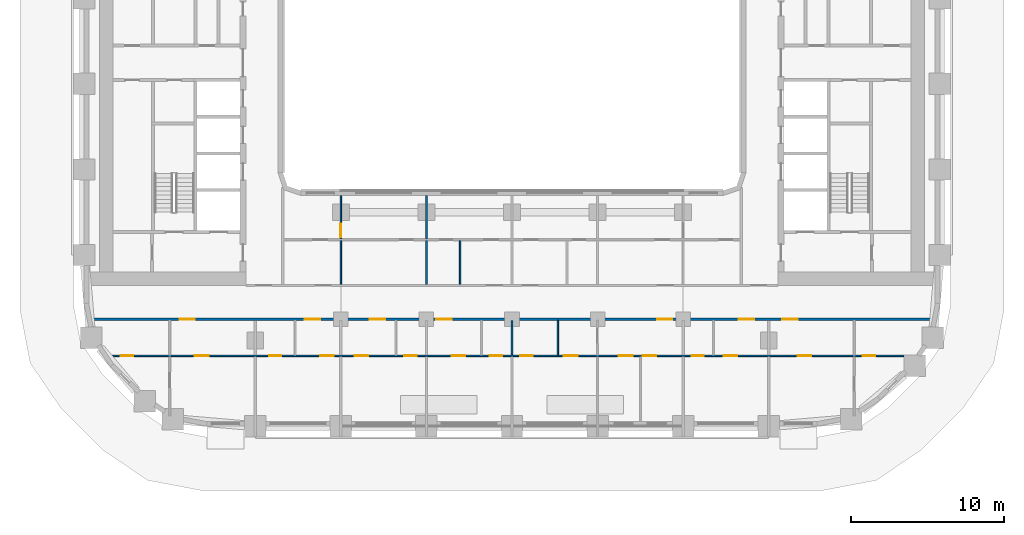
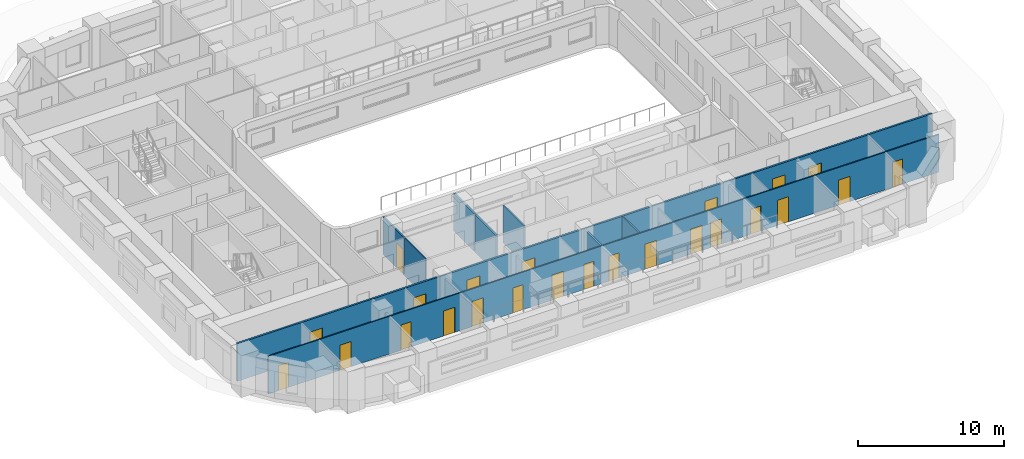
# One storey, part 3 of 18: 24 doors, 9 walls, 24 openings.
"""IFC4 building model written with IfcOpenShell, lengths in metres."""

from ifc_helpers import new_model, si_unit, direction, frame, frame_2d, origin, place, context, subcontext, project, spatial, rectangle, extrude, material, layer, layer_set, type_object, element, fill, save


model = new_model("IFC4")

# Units and contexts
model_context = context("Model", 3, precision=1e-05, world=origin(), true_north=direction((0.0, 1.0)))
body_context = subcontext(model_context, "Body", "Model", "MODEL_VIEW")
ifc_project = project(units=[si_unit("LENGTHUNIT", "METRE"), si_unit("AREAUNIT", "SQUARE_METRE"), si_unit("VOLUMEUNIT", "CUBIC_METRE"), si_unit("PLANEANGLEUNIT", "RADIAN"), si_unit("MASSUNIT", "GRAM", prefix="KILO")], contexts=[model_context])

# Site, building, storey
site_placement = place(None, origin())
site = spatial("IfcSite", under=ifc_project, at=site_placement, CompositionType="ELEMENT")
building_placement = place(site_placement, origin())
building = spatial("IfcBuilding", under=site, at=building_placement, Name="Kiln Ring Residences", CompositionType="ELEMENT")
storey_placement = place(building_placement, frame((0.0, 0.0, 69.0)))
storey = spatial("IfcBuildingStorey", under=building, at=storey_placement, Name="L17", CompositionType="ELEMENT", Elevation=69.0)

# Wall, openings, doors
ifc_material_1 = material(Name="Gypsum board on steel studs", Category="steel")
ifc_layer_1 = layer(ifc_material_1, 0.10009765625)
ifc_layer_set_1 = layer_set([ifc_layer_1], Name="PARTITION-100")
wall_type_1 = type_object("IfcWallType", Name="PARTITION-100", PredefinedType="PARTITIONING", material=ifc_layer_set_1)
wall_1_placement = place(storey_placement, frame((-26.39404296875, -17.800048828125, 0.0), z_axis=(0.0, 0.0, 1.0), x_axis=(1.0, 0.0, 0.0)))
wall_1 = element("IfcWall", 1, at=wall_1_placement, inside=storey, type_object=wall_type_1, Name="Partition 000", PredefinedType="PARTITIONING", context=body_context, shape_type="SweptSolid", body=[
    extrude(rectangle(XDim=53.033935546875, YDim=0.10009765625, at=frame_2d((26.51708984375, 0.0))), origin(), (0.0, 0.0, 1.0), 3.14990234375),
])
opening_1_placement = place(wall_1_placement, frame((0.7939453125, 0.0, 0.0)))
opening_1 = element("IfcOpeningElement", 2, at=opening_1_placement, cuts=wall_1, Name="Opening L17-D058", PredefinedType="OPENING", context=body_context, shape_type="SweptSolid", body=[
    extrude(rectangle(XDim=0.800048828125, YDim=2.10009765625, at=frame_2d((0.39990234375, 1.050048828125))), frame((0.0, 0.06005859375, 0.0), z_axis=(0.0, -1.0, 0.0), x_axis=(1.0, 0.0, 0.0)), (0.0, 0.0, 1.0), 0.1201171875),
])
opening_2_placement = place(wall_1_placement, frame((5.64404296875, 0.0, 0.0)))
opening_2 = element("IfcOpeningElement", 3, at=opening_2_placement, cuts=wall_1, Name="Opening L17-D059", PredefinedType="OPENING", context=body_context, shape_type="SweptSolid", body=[
    extrude(rectangle(XDim=0.89990234375, YDim=2.10009765625, at=frame_2d((0.449951171875, 1.050048828125))), frame((0.0, 0.06005859375, 0.0), z_axis=(0.0, -1.0, 0.0), x_axis=(1.0, 0.0, 0.0)), (0.0, 0.0, 1.0), 0.1201171875),
])
opening_3_placement = place(wall_1_placement, frame((10.493896484375, 0.0, 0.0)))
opening_3 = element("IfcOpeningElement", 4, at=opening_3_placement, cuts=wall_1, Name="Opening L17-D062", PredefinedType="OPENING", context=body_context, shape_type="SweptSolid", body=[
    extrude(rectangle(XDim=0.800048828125, YDim=2.10009765625, at=frame_2d((0.39990234375, 1.050048828125))), frame((0.0, 0.06005859375, 0.0), z_axis=(0.0, -1.0, 0.0), x_axis=(1.0, 0.0, 0.0)), (0.0, 0.0, 1.0), 0.1201171875),
])
opening_4_placement = place(wall_1_placement, frame((13.843994140625, 0.0, 0.0)))
opening_4 = element("IfcOpeningElement", 5, at=opening_4_placement, cuts=wall_1, Name="Opening L17-D063", PredefinedType="OPENING", context=body_context, shape_type="SweptSolid", body=[
    extrude(rectangle(XDim=0.89990234375, YDim=2.10009765625, at=frame_2d((0.449951171875, 1.050048828125))), frame((0.0, 0.06005859375, 0.0), z_axis=(0.0, -1.0, 0.0), x_axis=(1.0, 0.0, 0.0)), (0.0, 0.0, 1.0), 0.1201171875),
])
opening_5_placement = place(wall_1_placement, frame((19.343994140625, 0.0, 0.0)))
opening_5 = element("IfcOpeningElement", 6, at=opening_5_placement, cuts=wall_1, Name="Opening L17-D065", PredefinedType="OPENING", context=body_context, shape_type="SweptSolid", body=[
    extrude(rectangle(XDim=0.800048828125, YDim=2.10009765625, at=frame_2d((0.39990234375, 1.050048828125))), frame((0.0, 0.06005859375, 0.0), z_axis=(0.0, -1.0, 0.0), x_axis=(1.0, 0.0, 0.0)), (0.0, 0.0, 1.0), 0.1201171875),
])
opening_6_placement = place(wall_1_placement, frame((16.093994140625, 0.0, 0.0)))
opening_6 = element("IfcOpeningElement", 7, at=opening_6_placement, cuts=wall_1, Name="Opening L17-D066", PredefinedType="OPENING", context=body_context, shape_type="SweptSolid", body=[
    extrude(rectangle(XDim=0.89990234375, YDim=2.10009765625, at=frame_2d((0.449951171875, 1.050048828125))), frame((0.0, 0.06005859375, 0.0), z_axis=(0.0, -1.0, 0.0), x_axis=(1.0, 0.0, 0.0)), (0.0, 0.0, 1.0), 0.1201171875),
])
opening_7_placement = place(wall_1_placement, frame((24.944091796875, 0.0, 0.0)))
opening_7 = element("IfcOpeningElement", 8, at=opening_7_placement, cuts=wall_1, Name="Opening L17-D068", PredefinedType="OPENING", context=body_context, shape_type="SweptSolid", body=[
    extrude(rectangle(XDim=0.800048828125, YDim=2.10009765625, at=frame_2d((0.39990234375, 1.050048828125))), frame((0.0, 0.06005859375, 0.0), z_axis=(0.0, -1.0, 0.0), x_axis=(1.0, 0.0, 0.0)), (0.0, 0.0, 1.0), 0.1201171875),
])
opening_8_placement = place(wall_1_placement, frame((22.444091796875, 0.0, 0.0)))
opening_8 = element("IfcOpeningElement", 9, at=opening_8_placement, cuts=wall_1, Name="Opening L17-D069", PredefinedType="OPENING", context=body_context, shape_type="SweptSolid", body=[
    extrude(rectangle(XDim=0.89990234375, YDim=2.10009765625, at=frame_2d((0.449951171875, 1.050048828125))), frame((0.0, 0.06005859375, 0.0), z_axis=(0.0, -1.0, 0.0), x_axis=(1.0, 0.0, 0.0)), (0.0, 0.0, 1.0), 0.1201171875),
])
opening_9_placement = place(wall_1_placement, frame((26.944091796875, 0.0, 0.0)))
opening_9 = element("IfcOpeningElement", 10, at=opening_9_placement, cuts=wall_1, Name="Opening L17-D072", PredefinedType="OPENING", context=body_context, shape_type="SweptSolid", body=[
    extrude(rectangle(XDim=0.800048828125, YDim=2.10009765625, at=frame_2d((0.39990234375, 1.050048828125))), frame((0.0, 0.06005859375, 0.0), z_axis=(0.0, -1.0, 0.0), x_axis=(1.0, 0.0, 0.0)), (0.0, 0.0, 1.0), 0.1201171875),
])
opening_10_placement = place(wall_1_placement, frame((29.7939453125, 0.0, 0.0)))
opening_10 = element("IfcOpeningElement", 11, at=opening_10_placement, cuts=wall_1, Name="Opening L17-D073", PredefinedType="OPENING", context=body_context, shape_type="SweptSolid", body=[
    extrude(rectangle(XDim=0.89990234375, YDim=2.10009765625, at=frame_2d((0.449951171875, 1.050048828125))), frame((0.0, 0.06005859375, 0.0), z_axis=(0.0, -1.0, 0.0), x_axis=(1.0, 0.0, 0.0)), (0.0, 0.0, 1.0), 0.1201171875),
])
opening_11_placement = place(wall_1_placement, frame((33.39404296875, 0.0, 0.0)))
opening_11 = element("IfcOpeningElement", 12, at=opening_11_placement, cuts=wall_1, Name="Opening L17-D074", PredefinedType="OPENING", context=body_context, shape_type="SweptSolid", body=[
    extrude(rectangle(XDim=0.89990234375, YDim=2.10009765625, at=frame_2d((0.449951171875, 1.050048828125))), frame((0.0, 0.06005859375, 0.0), z_axis=(0.0, -1.0, 0.0), x_axis=(1.0, 0.0, 0.0)), (0.0, 0.0, 1.0), 0.1201171875),
])
opening_12_placement = place(wall_1_placement, frame((34.944091796875, 0.0, 0.0)))
opening_12 = element("IfcOpeningElement", 13, at=opening_12_placement, cuts=wall_1, Name="Opening L17-D075", PredefinedType="OPENING", context=body_context, shape_type="SweptSolid", body=[
    extrude(rectangle(XDim=0.89990234375, YDim=2.10009765625, at=frame_2d((0.449951171875, 1.050048828125))), frame((0.0, 0.06005859375, 0.0), z_axis=(0.0, -1.0, 0.0), x_axis=(1.0, 0.0, 0.0)), (0.0, 0.0, 1.0), 0.1201171875),
])
opening_13_placement = place(wall_1_placement, frame((38.14404296875, 0.0, 0.0)))
opening_13 = element("IfcOpeningElement", 14, at=opening_13_placement, cuts=wall_1, Name="Opening L17-D077", PredefinedType="OPENING", context=body_context, shape_type="SweptSolid", body=[
    extrude(rectangle(XDim=0.800048828125, YDim=2.10009765625, at=frame_2d((0.39990234375, 1.050048828125))), frame((0.0, 0.06005859375, 0.0), z_axis=(0.0, -1.0, 0.0), x_axis=(1.0, 0.0, 0.0)), (0.0, 0.0, 1.0), 0.1201171875),
])
opening_14_placement = place(wall_1_placement, frame((40.243896484375, 0.0, 0.0)))
opening_14 = element("IfcOpeningElement", 15, at=opening_14_placement, cuts=wall_1, Name="Opening L17-D078", PredefinedType="OPENING", context=body_context, shape_type="SweptSolid", body=[
    extrude(rectangle(XDim=0.89990234375, YDim=2.10009765625, at=frame_2d((0.449951171875, 1.050048828125))), frame((0.0, 0.06005859375, 0.0), z_axis=(0.0, -1.0, 0.0), x_axis=(1.0, 0.0, 0.0)), (0.0, 0.0, 1.0), 0.1201171875),
])
opening_15_placement = place(wall_1_placement, frame((49.362060546875, 0.0, 0.0)))
opening_15 = element("IfcOpeningElement", 16, at=opening_15_placement, cuts=wall_1, Name="Opening L17-D080", PredefinedType="OPENING", context=body_context, shape_type="SweptSolid", body=[
    extrude(rectangle(XDim=0.800048828125, YDim=2.10009765625, at=frame_2d((0.39990234375, 1.050048828125))), frame((0.0, 0.06005859375, 0.0), z_axis=(0.0, -1.0, 0.0), x_axis=(1.0, 0.0, 0.0)), (0.0, 0.0, 1.0), 0.1201171875),
])
opening_16_placement = place(wall_1_placement, frame((45.093994140625, 0.0, 0.0)))
opening_16 = element("IfcOpeningElement", 17, at=opening_16_placement, cuts=wall_1, Name="Opening L17-D081", PredefinedType="OPENING", context=body_context, shape_type="SweptSolid", body=[
    extrude(rectangle(XDim=0.89990234375, YDim=2.10009765625, at=frame_2d((0.449951171875, 1.050048828125))), frame((0.0, 0.06005859375, 0.0), z_axis=(0.0, -1.0, 0.0), x_axis=(1.0, 0.0, 0.0)), (0.0, 0.0, 1.0), 0.1201171875),
])
ifc_material_2 = material(Name="Timber door leaf", Category="wood")
door_type_1 = type_object("IfcDoorType", Name="FLAT-DOOR-800-PL", OperationType="SINGLE_SWING_LEFT", PredefinedType="DOOR", material=ifc_material_2)
door_1_placement = place(opening_1_placement, origin())
door_1 = element("IfcDoor", 18, at=door_1_placement, inside=storey, type_object=door_type_1, Name="Door L17-D058", OperationType="SINGLE_SWING_RIGHT", OverallHeight=2.10009765625, OverallWidth=0.800048828125, PredefinedType="DOOR", context=body_context, shape_type="SweptSolid", body=[
    extrude(rectangle(XDim=0.800048828125, YDim=2.10009765625, at=frame_2d((0.39990234375, 1.050048828125))), frame((0.0, 0.02490234375, 0.0), z_axis=(0.0, -1.0, 0.0), x_axis=(1.0, 0.0, 0.0)), (0.0, 0.0, 1.0), 0.050048828125),
])
fill(opening_1, door_1)
door_2_placement = place(opening_3_placement, origin())
door_2 = element("IfcDoor", 19, at=door_2_placement, inside=storey, type_object=door_type_1, Name="Door L17-D062", OperationType="SINGLE_SWING_RIGHT", OverallHeight=2.10009765625, OverallWidth=0.800048828125, PredefinedType="DOOR", context=body_context, shape_type="SweptSolid", body=[
    extrude(rectangle(XDim=0.800048828125, YDim=2.10009765625, at=frame_2d((0.39990234375, 1.050048828125))), frame((0.0, 0.02490234375, 0.0), z_axis=(0.0, -1.0, 0.0), x_axis=(1.0, 0.0, 0.0)), (0.0, 0.0, 1.0), 0.050048828125),
])
fill(opening_3, door_2)
door_3_placement = place(opening_5_placement, origin())
door_3 = element("IfcDoor", 20, at=door_3_placement, inside=storey, type_object=door_type_1, Name="Door L17-D065", OperationType="SINGLE_SWING_LEFT", OverallHeight=2.10009765625, OverallWidth=0.800048828125, PredefinedType="DOOR", context=body_context, shape_type="SweptSolid", body=[
    extrude(rectangle(XDim=0.800048828125, YDim=2.10009765625, at=frame_2d((0.39990234375, 1.050048828125))), frame((0.0, 0.02490234375, 0.0), z_axis=(0.0, -1.0, 0.0), x_axis=(1.0, 0.0, 0.0)), (0.0, 0.0, 1.0), 0.050048828125),
])
fill(opening_5, door_3)
door_4_placement = place(opening_7_placement, origin())
door_4 = element("IfcDoor", 21, at=door_4_placement, inside=storey, type_object=door_type_1, Name="Door L17-D068", OperationType="SINGLE_SWING_RIGHT", OverallHeight=2.10009765625, OverallWidth=0.800048828125, PredefinedType="DOOR", context=body_context, shape_type="SweptSolid", body=[
    extrude(rectangle(XDim=0.800048828125, YDim=2.10009765625, at=frame_2d((0.39990234375, 1.050048828125))), frame((0.0, 0.02490234375, 0.0), z_axis=(0.0, -1.0, 0.0), x_axis=(1.0, 0.0, 0.0)), (0.0, 0.0, 1.0), 0.050048828125),
])
fill(opening_7, door_4)
door_5_placement = place(opening_9_placement, origin())
door_5 = element("IfcDoor", 22, at=door_5_placement, inside=storey, type_object=door_type_1, Name="Door L17-D072", OperationType="SINGLE_SWING_RIGHT", OverallHeight=2.10009765625, OverallWidth=0.800048828125, PredefinedType="DOOR", context=body_context, shape_type="SweptSolid", body=[
    extrude(rectangle(XDim=0.800048828125, YDim=2.10009765625, at=frame_2d((0.39990234375, 1.050048828125))), frame((0.0, 0.02490234375, 0.0), z_axis=(0.0, -1.0, 0.0), x_axis=(1.0, 0.0, 0.0)), (0.0, 0.0, 1.0), 0.050048828125),
])
fill(opening_9, door_5)
door_6_placement = place(opening_13_placement, origin())
door_6 = element("IfcDoor", 23, at=door_6_placement, inside=storey, type_object=door_type_1, Name="Door L17-D077", OperationType="SINGLE_SWING_LEFT", OverallHeight=2.10009765625, OverallWidth=0.800048828125, PredefinedType="DOOR", context=body_context, shape_type="SweptSolid", body=[
    extrude(rectangle(XDim=0.800048828125, YDim=2.10009765625, at=frame_2d((0.39990234375, 1.050048828125))), frame((0.0, 0.02490234375, 0.0), z_axis=(0.0, -1.0, 0.0), x_axis=(1.0, 0.0, 0.0)), (0.0, 0.0, 1.0), 0.050048828125),
])
fill(opening_13, door_6)
door_7_placement = place(opening_15_placement, origin())
door_7 = element("IfcDoor", 24, at=door_7_placement, inside=storey, type_object=door_type_1, Name="Door L17-D080", OperationType="SINGLE_SWING_RIGHT", OverallHeight=2.10009765625, OverallWidth=0.800048828125, PredefinedType="DOOR", context=body_context, shape_type="SweptSolid", body=[
    extrude(rectangle(XDim=0.800048828125, YDim=2.10009765625, at=frame_2d((0.39990234375, 1.050048828125))), frame((0.0, 0.02490234375, 0.0), z_axis=(0.0, -1.0, 0.0), x_axis=(1.0, 0.0, 0.0)), (0.0, 0.0, 1.0), 0.050048828125),
])
fill(opening_15, door_7)
ifc_material_3 = material(Name="Timber door leaf", Category="wood")
door_type_2 = type_object("IfcDoorType", Name="FLAT-DOOR-900-PL", OperationType="SINGLE_SWING_LEFT", PredefinedType="DOOR", material=ifc_material_3)
door_8_placement = place(opening_2_placement, origin())
door_8 = element("IfcDoor", 25, at=door_8_placement, inside=storey, type_object=door_type_2, Name="Door L17-D059", OperationType="SINGLE_SWING_LEFT", OverallHeight=2.10009765625, OverallWidth=0.89990234375, PredefinedType="DOOR", context=body_context, shape_type="SweptSolid", body=[
    extrude(rectangle(XDim=0.89990234375, YDim=2.10009765625, at=frame_2d((0.449951171875, 1.050048828125))), frame((0.0, 0.02490234375, 0.0), z_axis=(0.0, -1.0, 0.0), x_axis=(1.0, 0.0, 0.0)), (0.0, 0.0, 1.0), 0.050048828125),
])
fill(opening_2, door_8)
door_9_placement = place(opening_4_placement, origin())
door_9 = element("IfcDoor", 26, at=door_9_placement, inside=storey, type_object=door_type_2, Name="Door L17-D063", OperationType="SINGLE_SWING_RIGHT", OverallHeight=2.10009765625, OverallWidth=0.89990234375, PredefinedType="DOOR", context=body_context, shape_type="SweptSolid", body=[
    extrude(rectangle(XDim=0.89990234375, YDim=2.10009765625, at=frame_2d((0.449951171875, 1.050048828125))), frame((0.0, 0.02490234375, 0.0), z_axis=(0.0, -1.0, 0.0), x_axis=(1.0, 0.0, 0.0)), (0.0, 0.0, 1.0), 0.050048828125),
])
fill(opening_4, door_9)
door_10_placement = place(opening_6_placement, origin())
door_10 = element("IfcDoor", 27, at=door_10_placement, inside=storey, type_object=door_type_2, Name="Door L17-D066", OperationType="SINGLE_SWING_LEFT", OverallHeight=2.10009765625, OverallWidth=0.89990234375, PredefinedType="DOOR", context=body_context, shape_type="SweptSolid", body=[
    extrude(rectangle(XDim=0.89990234375, YDim=2.10009765625, at=frame_2d((0.449951171875, 1.050048828125))), frame((0.0, 0.02490234375, 0.0), z_axis=(0.0, -1.0, 0.0), x_axis=(1.0, 0.0, 0.0)), (0.0, 0.0, 1.0), 0.050048828125),
])
fill(opening_6, door_10)
door_11_placement = place(opening_8_placement, origin())
door_11 = element("IfcDoor", 28, at=door_11_placement, inside=storey, type_object=door_type_2, Name="Door L17-D069", OperationType="SINGLE_SWING_RIGHT", OverallHeight=2.10009765625, OverallWidth=0.89990234375, PredefinedType="DOOR", context=body_context, shape_type="SweptSolid", body=[
    extrude(rectangle(XDim=0.89990234375, YDim=2.10009765625, at=frame_2d((0.449951171875, 1.050048828125))), frame((0.0, 0.02490234375, 0.0), z_axis=(0.0, -1.0, 0.0), x_axis=(1.0, 0.0, 0.0)), (0.0, 0.0, 1.0), 0.050048828125),
])
fill(opening_8, door_11)
door_12_placement = place(opening_10_placement, origin())
door_12 = element("IfcDoor", 29, at=door_12_placement, inside=storey, type_object=door_type_2, Name="Door L17-D073", OperationType="SINGLE_SWING_LEFT", OverallHeight=2.10009765625, OverallWidth=0.89990234375, PredefinedType="DOOR", context=body_context, shape_type="SweptSolid", body=[
    extrude(rectangle(XDim=0.89990234375, YDim=2.10009765625, at=frame_2d((0.449951171875, 1.050048828125))), frame((0.0, 0.02490234375, 0.0), z_axis=(0.0, -1.0, 0.0), x_axis=(1.0, 0.0, 0.0)), (0.0, 0.0, 1.0), 0.050048828125),
])
fill(opening_10, door_12)
door_13_placement = place(opening_11_placement, origin())
door_13 = element("IfcDoor", 30, at=door_13_placement, inside=storey, type_object=door_type_2, Name="Door L17-D074", OperationType="SINGLE_SWING_RIGHT", OverallHeight=2.10009765625, OverallWidth=0.89990234375, PredefinedType="DOOR", context=body_context, shape_type="SweptSolid", body=[
    extrude(rectangle(XDim=0.89990234375, YDim=2.10009765625, at=frame_2d((0.449951171875, 1.050048828125))), frame((0.0, 0.02490234375, 0.0), z_axis=(0.0, -1.0, 0.0), x_axis=(1.0, 0.0, 0.0)), (0.0, 0.0, 1.0), 0.050048828125),
])
fill(opening_11, door_13)
door_14_placement = place(opening_12_placement, origin())
door_14 = element("IfcDoor", 31, at=door_14_placement, inside=storey, type_object=door_type_2, Name="Door L17-D075", OperationType="SINGLE_SWING_LEFT", OverallHeight=2.10009765625, OverallWidth=0.89990234375, PredefinedType="DOOR", context=body_context, shape_type="SweptSolid", body=[
    extrude(rectangle(XDim=0.89990234375, YDim=2.10009765625, at=frame_2d((0.449951171875, 1.050048828125))), frame((0.0, 0.02490234375, 0.0), z_axis=(0.0, -1.0, 0.0), x_axis=(1.0, 0.0, 0.0)), (0.0, 0.0, 1.0), 0.050048828125),
])
fill(opening_12, door_14)
door_15_placement = place(opening_14_placement, origin())
door_15 = element("IfcDoor", 32, at=door_15_placement, inside=storey, type_object=door_type_2, Name="Door L17-D078", OperationType="SINGLE_SWING_LEFT", OverallHeight=2.10009765625, OverallWidth=0.89990234375, PredefinedType="DOOR", context=body_context, shape_type="SweptSolid", body=[
    extrude(rectangle(XDim=0.89990234375, YDim=2.10009765625, at=frame_2d((0.449951171875, 1.050048828125))), frame((0.0, 0.02490234375, 0.0), z_axis=(0.0, -1.0, 0.0), x_axis=(1.0, 0.0, 0.0)), (0.0, 0.0, 1.0), 0.050048828125),
])
fill(opening_14, door_15)
door_16_placement = place(opening_16_placement, origin())
door_16 = element("IfcDoor", 33, at=door_16_placement, inside=storey, type_object=door_type_2, Name="Door L17-D081", OperationType="SINGLE_SWING_LEFT", OverallHeight=2.10009765625, OverallWidth=0.89990234375, PredefinedType="DOOR", context=body_context, shape_type="SweptSolid", body=[
    extrude(rectangle(XDim=0.89990234375, YDim=2.10009765625, at=frame_2d((0.449951171875, 1.050048828125))), frame((0.0, 0.02490234375, 0.0), z_axis=(0.0, -1.0, 0.0), x_axis=(1.0, 0.0, 0.0)), (0.0, 0.0, 1.0), 0.050048828125),
])
fill(opening_16, door_16)

# Wall
wall_2_placement = place(storey_placement, frame((-11.199951171875, -13.125, 0.0), z_axis=(0.0, 0.0, 1.0), x_axis=(0.0, 1.0, 0.0)))
element("IfcWall", 34, at=wall_2_placement, inside=storey, type_object=wall_type_1, Name="Partition 020", PredefinedType="PARTITIONING", context=body_context, shape_type="SweptSolid", body=[
    extrude(rectangle(XDim=2.875, YDim=0.10009765625, at=frame_2d((1.4375, 0.0))), origin(), (0.0, 0.0, 1.0), 3.14990234375),
])

# Wall, opening, door
wall_3_placement = place(storey_placement, frame((-11.199951171875, -10.14990234375, 0.0), z_axis=(0.0, 0.0, 1.0), x_axis=(0.0, 1.0, 0.0)))
wall_3 = element("IfcWall", 35, at=wall_3_placement, inside=storey, type_object=wall_type_1, Name="Partition 021", PredefinedType="PARTITIONING", context=body_context, shape_type="SweptSolid", body=[
    extrude(rectangle(XDim=2.829833984375, YDim=0.10009765625, at=frame_2d((1.4150390625, 0.0))), origin(), (0.0, 0.0, 1.0), 3.14990234375),
])
opening_17_placement = place(wall_3_placement, frame((0.10009765625, 0.0, 0.0)))
opening_17 = element("IfcOpeningElement", 36, at=opening_17_placement, cuts=wall_3, Name="Opening L17-D046", PredefinedType="OPENING", context=body_context, shape_type="SweptSolid", body=[
    extrude(rectangle(XDim=0.89990234375, YDim=2.10009765625, at=frame_2d((0.449951171875, 1.050048828125))), frame((0.0, 0.06005859375, 0.0), z_axis=(0.0, -1.0, 0.0), x_axis=(1.0, 0.0, 0.0)), (0.0, 0.0, 1.0), 0.1201171875),
])
door_17_placement = place(opening_17_placement, origin())
door_17 = element("IfcDoor", 37, at=door_17_placement, inside=storey, type_object=door_type_2, Name="Door L17-D046", OperationType="SINGLE_SWING_LEFT", OverallHeight=2.10009765625, OverallWidth=0.89990234375, PredefinedType="DOOR", context=body_context, shape_type="SweptSolid", body=[
    extrude(rectangle(XDim=0.89990234375, YDim=2.10009765625, at=frame_2d((0.449951171875, 1.050048828125))), frame((0.0, 0.02490234375, 0.0), z_axis=(0.0, -1.0, 0.0), x_axis=(1.0, 0.0, 0.0)), (0.0, 0.0, 1.0), 0.050048828125),
])
fill(opening_17, door_17)

# Walls
wall_4_placement = place(storey_placement, frame((-3.39990234375, -13.125, 0.0), z_axis=(0.0, 0.0, 1.0), x_axis=(0.0, 1.0, 0.0)))
element("IfcWall", 38, at=wall_4_placement, inside=storey, type_object=wall_type_1, Name="Partition 038", PredefinedType="PARTITIONING", context=body_context, shape_type="SweptSolid", body=[
    extrude(rectangle(XDim=2.875, YDim=0.10009765625, at=frame_2d((1.4375, 0.0))), origin(), (0.0, 0.0, 1.0), 3.14990234375),
])
wall_5_placement = place(storey_placement, frame((3.0, -17.75, 0.0), z_axis=(0.0, 0.0, 1.0), x_axis=(0.0, 1.0, 0.0)))
element("IfcWall", 39, at=wall_5_placement, inside=storey, type_object=wall_type_1, Name="Partition 049", PredefinedType="PARTITIONING", context=body_context, shape_type="SweptSolid", body=[
    extrude(rectangle(XDim=2.27490234375, YDim=0.10009765625, at=frame_2d((1.137451171875, 0.0))), origin(), (0.0, 0.0, 1.0), 3.14990234375),
])

# Wall, openings, doors
ifc_material_4 = material(Name="Brick masonry partition", Category="masonry")
ifc_layer_2 = layer(ifc_material_4, 0.14990234375)
ifc_layer_set_2 = layer_set([ifc_layer_2], Name="PARTITION-150-ei60")
wall_type_2 = type_object("IfcWallType", Name="PARTITION-150-ei60", PredefinedType="PARTITIONING", material=ifc_layer_set_2)
wall_6_placement = place(storey_placement, frame((-27.48388671875, -15.39990234375, 0.0), z_axis=(0.0, 0.0, 1.0), x_axis=(1.0, 0.0, 0.0)))
wall_6 = element("IfcWall", 40, at=wall_6_placement, inside=storey, type_object=wall_type_2, Name="Partition 001", PredefinedType="PARTITIONING", context=body_context, shape_type="SweptSolid", body=[
    extrude(rectangle(XDim=54.9677734375, YDim=0.14990234375, at=frame_2d((27.48388671875, 0.0))), origin(), (0.0, 0.0, 1.0), 3.14990234375),
])
opening_18_placement = place(wall_6_placement, frame((5.73388671875, 0.0, 0.0)))
opening_18 = element("IfcOpeningElement", 41, at=opening_18_placement, cuts=wall_6, Name="Opening L17-D057", PredefinedType="OPENING", context=body_context, shape_type="SweptSolid", body=[
    extrude(rectangle(XDim=1.0, YDim=2.10009765625, at=frame_2d((0.5, 1.050048828125))), frame((0.0, 0.0849609375, 0.0), z_axis=(0.0, -1.0, 0.0), x_axis=(1.0, 0.0, 0.0)), (0.0, 0.0, 1.0), 0.169921875),
])
opening_19_placement = place(wall_6_placement, frame((13.933837890625, 0.0, 0.0)))
opening_19 = element("IfcOpeningElement", 42, at=opening_19_placement, cuts=wall_6, Name="Opening L17-D061", PredefinedType="OPENING", context=body_context, shape_type="SweptSolid", body=[
    extrude(rectangle(XDim=1.0, YDim=2.10009765625, at=frame_2d((0.5, 1.050048828125))), frame((0.0, 0.0849609375, 0.0), z_axis=(0.0, -1.0, 0.0), x_axis=(1.0, 0.0, 0.0)), (0.0, 0.0, 1.0), 0.169921875),
])
opening_20_placement = place(wall_6_placement, frame((18.183837890625, 0.0, 0.0)))
opening_20 = element("IfcOpeningElement", 43, at=opening_20_placement, cuts=wall_6, Name="Opening L17-D064", PredefinedType="OPENING", context=body_context, shape_type="SweptSolid", body=[
    extrude(rectangle(XDim=1.0, YDim=2.10009765625, at=frame_2d((0.5, 1.050048828125))), frame((0.0, 0.0849609375, 0.0), z_axis=(0.0, -1.0, 0.0), x_axis=(1.0, 0.0, 0.0)), (0.0, 0.0, 1.0), 0.169921875),
])
opening_21_placement = place(wall_6_placement, frame((22.53369140625, 0.0, 0.0)))
opening_21 = element("IfcOpeningElement", 44, at=opening_21_placement, cuts=wall_6, Name="Opening L17-D067", PredefinedType="OPENING", context=body_context, shape_type="SweptSolid", body=[
    extrude(rectangle(XDim=1.0, YDim=2.10009765625, at=frame_2d((0.5, 1.050048828125))), frame((0.0, 0.0849609375, 0.0), z_axis=(0.0, -1.0, 0.0), x_axis=(1.0, 0.0, 0.0)), (0.0, 0.0, 1.0), 0.169921875),
])
opening_22_placement = place(wall_6_placement, frame((36.98388671875, 0.0, 0.0)))
opening_22 = element("IfcOpeningElement", 45, at=opening_22_placement, cuts=wall_6, Name="Opening L17-D070", PredefinedType="OPENING", context=body_context, shape_type="SweptSolid", body=[
    extrude(rectangle(XDim=1.0, YDim=2.10009765625, at=frame_2d((0.5, 1.050048828125))), frame((0.0, 0.0849609375, 0.0), z_axis=(0.0, -1.0, 0.0), x_axis=(1.0, 0.0, 0.0)), (0.0, 0.0, 1.0), 0.169921875),
])
opening_23_placement = place(wall_6_placement, frame((42.333740234375, 0.0, 0.0)))
opening_23 = element("IfcOpeningElement", 46, at=opening_23_placement, cuts=wall_6, Name="Opening L17-D076", PredefinedType="OPENING", context=body_context, shape_type="SweptSolid", body=[
    extrude(rectangle(XDim=1.0, YDim=2.10009765625, at=frame_2d((0.5, 1.050048828125))), frame((0.0, 0.0849609375, 0.0), z_axis=(0.0, -1.0, 0.0), x_axis=(1.0, 0.0, 0.0)), (0.0, 0.0, 1.0), 0.169921875),
])
opening_24_placement = place(wall_6_placement, frame((45.183837890625, 0.0, 0.0)))
opening_24 = element("IfcOpeningElement", 47, at=opening_24_placement, cuts=wall_6, Name="Opening L17-D079", PredefinedType="OPENING", context=body_context, shape_type="SweptSolid", body=[
    extrude(rectangle(XDim=1.0, YDim=2.10009765625, at=frame_2d((0.5, 1.050048828125))), frame((0.0, 0.0849609375, 0.0), z_axis=(0.0, -1.0, 0.0), x_axis=(1.0, 0.0, 0.0)), (0.0, 0.0, 1.0), 0.169921875),
])
ifc_material_5 = material(Name="Steel faced fire door leaf", Category="steel")
door_type_3 = type_object("IfcDoorType", Name="FLAT-DOOR-1000-FR", OperationType="SINGLE_SWING_LEFT", PredefinedType="DOOR", material=ifc_material_5)
door_18_placement = place(opening_18_placement, origin())
door_18 = element("IfcDoor", 48, at=door_18_placement, inside=storey, type_object=door_type_3, Name="Door L17-D057", OperationType="SINGLE_SWING_LEFT", OverallHeight=2.10009765625, OverallWidth=1.0, PredefinedType="DOOR", context=body_context, shape_type="SweptSolid", body=[
    extrude(rectangle(XDim=1.0, YDim=2.10009765625, at=frame_2d((0.5, 1.050048828125))), frame((0.0, 0.02490234375, 0.0), z_axis=(0.0, -1.0, 0.0), x_axis=(1.0, 0.0, 0.0)), (0.0, 0.0, 1.0), 0.050048828125),
])
fill(opening_18, door_18)
door_19_placement = place(opening_19_placement, origin())
door_19 = element("IfcDoor", 49, at=door_19_placement, inside=storey, type_object=door_type_3, Name="Door L17-D061", OperationType="SINGLE_SWING_LEFT", OverallHeight=2.10009765625, OverallWidth=1.0, PredefinedType="DOOR", context=body_context, shape_type="SweptSolid", body=[
    extrude(rectangle(XDim=1.0, YDim=2.10009765625, at=frame_2d((0.5, 1.050048828125))), frame((0.0, 0.02490234375, 0.0), z_axis=(0.0, -1.0, 0.0), x_axis=(1.0, 0.0, 0.0)), (0.0, 0.0, 1.0), 0.050048828125),
])
fill(opening_19, door_19)
door_20_placement = place(opening_20_placement, origin())
door_20 = element("IfcDoor", 50, at=door_20_placement, inside=storey, type_object=door_type_3, Name="Door L17-D064", OperationType="SINGLE_SWING_RIGHT", OverallHeight=2.10009765625, OverallWidth=1.0, PredefinedType="DOOR", context=body_context, shape_type="SweptSolid", body=[
    extrude(rectangle(XDim=1.0, YDim=2.10009765625, at=frame_2d((0.5, 1.050048828125))), frame((0.0, 0.02490234375, 0.0), z_axis=(0.0, -1.0, 0.0), x_axis=(1.0, 0.0, 0.0)), (0.0, 0.0, 1.0), 0.050048828125),
])
fill(opening_20, door_20)
door_21_placement = place(opening_21_placement, origin())
door_21 = element("IfcDoor", 51, at=door_21_placement, inside=storey, type_object=door_type_3, Name="Door L17-D067", OperationType="SINGLE_SWING_LEFT", OverallHeight=2.10009765625, OverallWidth=1.0, PredefinedType="DOOR", context=body_context, shape_type="SweptSolid", body=[
    extrude(rectangle(XDim=1.0, YDim=2.10009765625, at=frame_2d((0.5, 1.050048828125))), frame((0.0, 0.02490234375, 0.0), z_axis=(0.0, -1.0, 0.0), x_axis=(1.0, 0.0, 0.0)), (0.0, 0.0, 1.0), 0.050048828125),
])
fill(opening_21, door_21)
door_22_placement = place(opening_22_placement, origin())
door_22 = element("IfcDoor", 52, at=door_22_placement, inside=storey, type_object=door_type_3, Name="Door L17-D070", OperationType="SINGLE_SWING_RIGHT", OverallHeight=2.10009765625, OverallWidth=1.0, PredefinedType="DOOR", context=body_context, shape_type="SweptSolid", body=[
    extrude(rectangle(XDim=1.0, YDim=2.10009765625, at=frame_2d((0.5, 1.050048828125))), frame((0.0, 0.02490234375, 0.0), z_axis=(0.0, -1.0, 0.0), x_axis=(1.0, 0.0, 0.0)), (0.0, 0.0, 1.0), 0.050048828125),
])
fill(opening_22, door_22)
door_23_placement = place(opening_23_placement, origin())
door_23 = element("IfcDoor", 53, at=door_23_placement, inside=storey, type_object=door_type_3, Name="Door L17-D076", OperationType="SINGLE_SWING_RIGHT", OverallHeight=2.10009765625, OverallWidth=1.0, PredefinedType="DOOR", context=body_context, shape_type="SweptSolid", body=[
    extrude(rectangle(XDim=1.0, YDim=2.10009765625, at=frame_2d((0.5, 1.050048828125))), frame((0.0, 0.02490234375, 0.0), z_axis=(0.0, -1.0, 0.0), x_axis=(1.0, 0.0, 0.0)), (0.0, 0.0, 1.0), 0.050048828125),
])
fill(opening_23, door_23)
door_24_placement = place(opening_24_placement, origin())
door_24 = element("IfcDoor", 54, at=door_24_placement, inside=storey, type_object=door_type_3, Name="Door L17-D079", OperationType="SINGLE_SWING_LEFT", OverallHeight=2.10009765625, OverallWidth=1.0, PredefinedType="DOOR", context=body_context, shape_type="SweptSolid", body=[
    extrude(rectangle(XDim=1.0, YDim=2.10009765625, at=frame_2d((0.5, 1.050048828125))), frame((0.0, 0.02490234375, 0.0), z_axis=(0.0, -1.0, 0.0), x_axis=(1.0, 0.0, 0.0)), (0.0, 0.0, 1.0), 0.050048828125),
])
fill(opening_24, door_24)

# Walls
wall_7_placement = place(storey_placement, frame((-5.60009765625, -13.125, 0.0), z_axis=(0.0, 0.0, 1.0), x_axis=(0.0, 1.0, 0.0)))
element("IfcWall", 55, at=wall_7_placement, inside=storey, type_object=wall_type_2, Name="Partition 032", PredefinedType="PARTITIONING", context=body_context, shape_type="SweptSolid", body=[
    extrude(rectangle(XDim=2.875, YDim=0.14990234375, at=frame_2d((1.4375, 0.0))), origin(), (0.0, 0.0, 1.0), 3.14990234375),
])
wall_8_placement = place(storey_placement, frame((-5.60009765625, -10.14990234375, 0.0), z_axis=(0.0, 0.0, 1.0), x_axis=(0.0, 1.0, 0.0)))
element("IfcWall", 56, at=wall_8_placement, inside=storey, type_object=wall_type_2, Name="Partition 033", PredefinedType="PARTITIONING", context=body_context, shape_type="SweptSolid", body=[
    extrude(rectangle(XDim=2.829833984375, YDim=0.14990234375, at=frame_2d((1.4150390625, 0.0))), origin(), (0.0, 0.0, 1.0), 3.14990234375),
])
wall_9_placement = place(storey_placement, frame((0.0, -17.75, 0.0), z_axis=(0.0, 0.0, 1.0), x_axis=(0.0, 1.0, 0.0)))
element("IfcWall", 57, at=wall_9_placement, inside=storey, type_object=wall_type_2, Name="Partition 044", PredefinedType="PARTITIONING", context=body_context, shape_type="SweptSolid", body=[
    extrude(rectangle(XDim=2.27490234375, YDim=0.14990234375, at=frame_2d((1.137451171875, 0.0))), origin(), (0.0, 0.0, 1.0), 3.14990234375),
])

save(model, "model.ifc")
